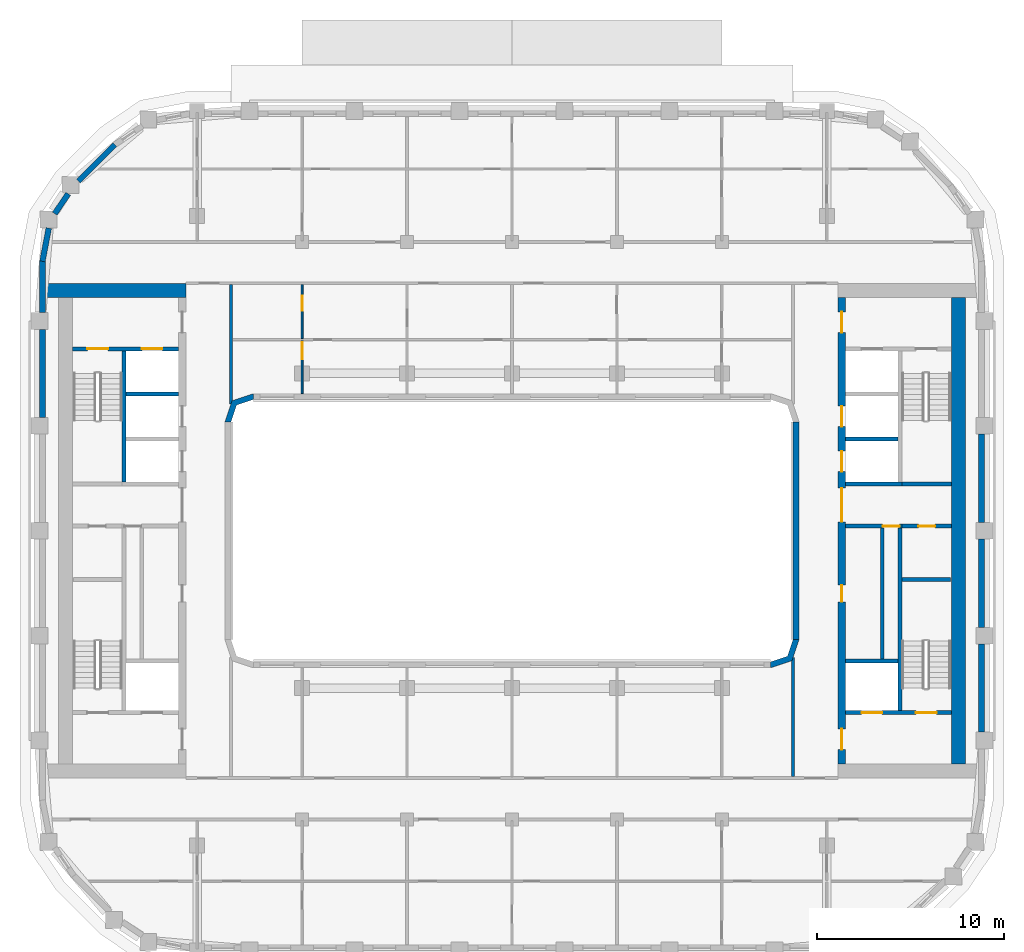
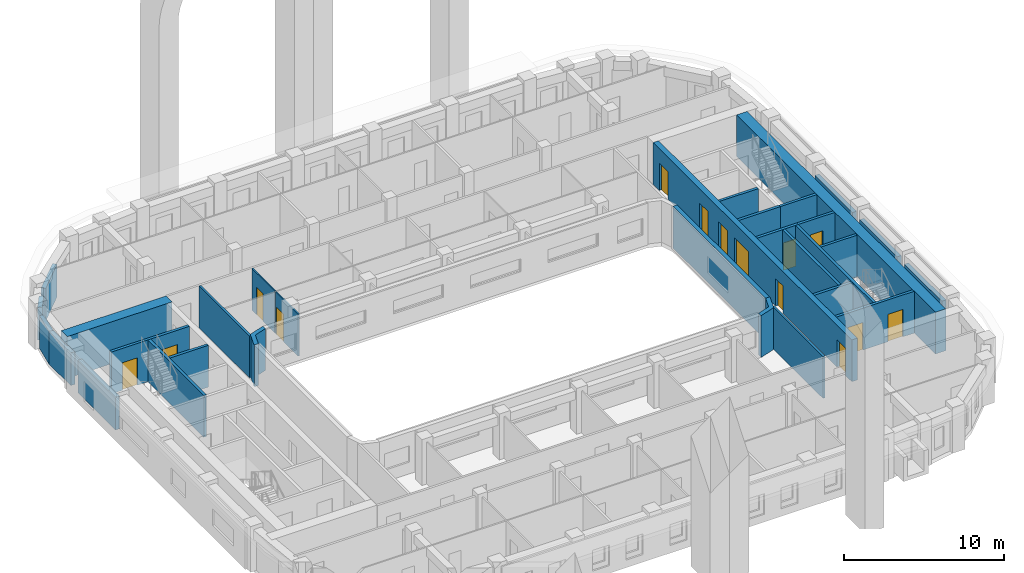
# One storey, part 5 of 18: 31 walls, 14 doors, 14 openings.
"""IFC4 building model written with IfcOpenShell, lengths in metres."""

from ifc_helpers import new_model, si_unit, direction, frame, frame_2d, origin, place, context, subcontext, project, spatial, polyline, rectangle, outline, extrude, material, layer, layer_set, type_object, element, fill, save


model = new_model("IFC4")

# Units and contexts
model_context = context("Model", 3, precision=1e-05, world=origin(), true_north=direction((0.0, 1.0)))
body_context = subcontext(model_context, "Body", "Model", "MODEL_VIEW")
ifc_project = project(units=[si_unit("LENGTHUNIT", "METRE"), si_unit("AREAUNIT", "SQUARE_METRE"), si_unit("VOLUMEUNIT", "CUBIC_METRE"), si_unit("PLANEANGLEUNIT", "RADIAN"), si_unit("MASSUNIT", "GRAM", prefix="KILO")], contexts=[model_context])

# Site, building, storey
site_placement = place(None, origin())
site = spatial("IfcSite", under=ifc_project, at=site_placement, CompositionType="ELEMENT")
building_placement = place(site_placement, origin())
building = spatial("IfcBuilding", under=site, at=building_placement, Name="Kiln Ring Residences", CompositionType="ELEMENT")
storey_placement = place(building_placement, frame((0.0, 0.0, 209.89990234375)))
storey = spatial("IfcBuildingStorey", under=building, at=storey_placement, Name="L54", CompositionType="ELEMENT", Elevation=209.89990234375)

# Wall, opening, door
ifc_material_1 = material(Name="Gypsum board on steel studs", Category="steel")
ifc_layer_1 = layer(ifc_material_1, 0.199951171875)
ifc_layer_set_1 = layer_set([ifc_layer_1], Name="CORE-PARTITION-200")
wall_type_1 = type_object("IfcWallType", Name="CORE-PARTITION-200", PredefinedType="PARTITIONING", material=ifc_layer_set_1)
wall_1_placement = place(storey_placement, frame((20.800048828125, 0.25, 0.0), z_axis=(0.0, 0.0, 1.0), x_axis=(1.0, 0.0, 0.0)))
wall_1 = element("IfcWall", 1, at=wall_1_placement, inside=storey, type_object=wall_type_1, Name="Core partition east L54 1", PredefinedType="PARTITIONING", context=body_context, shape_type="SweptSolid", body=[
    extrude(rectangle(XDim=2.64990234375, YDim=0.199951171875, at=frame_2d((1.324951171875, 0.0))), origin(), (0.0, 0.0, 1.0), 3.2001953125),
])
opening_1_placement = place(wall_1_placement, frame((0.875, 0.0, 0.0)))
opening_1 = element("IfcOpeningElement", 2, at=opening_1_placement, cuts=wall_1, Name="Opening L54-CE12", PredefinedType="OPENING", context=body_context, shape_type="SweptSolid", body=[
    extrude(rectangle(XDim=0.89990234375, YDim=2.10009765625, at=frame_2d((0.449951171875, 1.050048828125))), frame((0.0, 0.10986328125, 0.0), z_axis=(0.0, -1.0, 0.0), x_axis=(1.0, 0.0, 0.0)), (0.0, 0.0, 1.0), 0.219970703125),
])
ifc_material_2 = material(Name="Steel door leaf", Category="steel")
door_type_1 = type_object("IfcDoorType", Name="CORE-DOOR-ROOM", OperationType="SINGLE_SWING_LEFT", PredefinedType="DOOR", material=ifc_material_2)
door_1_placement = place(opening_1_placement, origin())
door_1 = element("IfcDoor", 3, at=door_1_placement, inside=storey, type_object=door_type_1, Name="Linen store L54-CE12", OperationType="SINGLE_SWING_LEFT", OverallHeight=2.10009765625, OverallWidth=0.89990234375, PredefinedType="DOOR", context=body_context, shape_type="SweptSolid", body=[
    extrude(rectangle(XDim=0.89990234375, YDim=2.10009765625, at=frame_2d((0.449951171875, 1.050048828125))), frame((0.0, 0.02490234375, 0.0), z_axis=(0.0, -1.0, 0.0), x_axis=(1.0, 0.0, 0.0)), (0.0, 0.0, 1.0), 0.050048828125),
])
fill(opening_1, door_1)

# Walls
wall_2_placement = place(storey_placement, frame((19.760009765625, -6.85009765625, 0.0), z_axis=(0.0, 0.0, 1.0), x_axis=(0.0, 1.0, 0.0)))
element("IfcWall", 4, at=wall_2_placement, inside=storey, type_object=wall_type_1, Name="Core partition east L54 2", PredefinedType="PARTITIONING", context=body_context, shape_type="SweptSolid", body=[
    extrude(rectangle(XDim=7.0, YDim=0.199951171875, at=frame_2d((3.5, 0.0))), origin(), (0.0, 0.0, 1.0), 3.2001953125),
])
ifc_material_3 = material(Name="Gypsum shaft wall system")
ifc_layer_2 = layer(ifc_material_3, 0.199951171875)
ifc_layer_set_2 = layer_set([ifc_layer_2], Name="CORE-SHAFT-WALL-200")
wall_type_2 = type_object("IfcWallType", Name="CORE-SHAFT-WALL-200", PredefinedType="PARTITIONING", material=ifc_layer_set_2)
for number, where, z_axis, x_axis, name in (
    (5, (-17.800048828125, 7.300048828125, 0.0), (0.0, 0.0, 1.0), (-1.0, 0.0, 0.0), "Core partition west L54 7"),
    (6, (17.800048828125, -6.949951171875, 0.0), (0.0, 0.0, 1.0), (1.0, 0.0, 0.0), "Core partition east L54 3"),
):
    element("IfcWall", number, at=place(storey_placement, frame(where, z_axis=z_axis, x_axis=x_axis)), inside=storey, type_object=wall_type_2, Name=name, PredefinedType="PARTITIONING", context=body_context, shape_type="SweptSolid", body=[
        extrude(rectangle(XDim=2.800048828125, YDim=0.199951171875, at=frame_2d((1.39990234375, 0.0))), origin(), (0.0, 0.0, 1.0), 3.2001953125),
    ])

# Wall, opening, door
wall_3_placement = place(storey_placement, frame((17.800048828125, 0.25, 0.0), z_axis=(0.0, 0.0, 1.0), x_axis=(1.0, 0.0, 0.0)))
wall_3 = element("IfcWall", 7, at=wall_3_placement, inside=storey, type_object=wall_type_2, Name="Core partition east L54 4", PredefinedType="PARTITIONING", context=body_context, shape_type="SweptSolid", body=[
    extrude(rectangle(XDim=3.0, YDim=0.199951171875, at=frame_2d((1.5, 0.0))), origin(), (0.0, 0.0, 1.0), 3.2001953125),
])
opening_2_placement = place(wall_3_placement, frame((1.97998046875, 0.0, 0.0)))
opening_2 = element("IfcOpeningElement", 8, at=opening_2_placement, cuts=wall_3, Name="Opening L54-CE03", PredefinedType="OPENING", context=body_context, shape_type="SweptSolid", body=[
    extrude(rectangle(XDim=0.89990234375, YDim=2.10009765625, at=frame_2d((0.449951171875, 1.050048828125))), frame((0.0, 0.10986328125, 0.0), z_axis=(0.0, -1.0, 0.0), x_axis=(1.0, 0.0, 0.0)), (0.0, 0.0, 1.0), 0.219970703125),
])
door_2_placement = place(opening_2_placement, origin())
door_2 = element("IfcDoor", 9, at=door_2_placement, inside=storey, type_object=door_type_1, Name="Waste room L54-CE03", OperationType="SINGLE_SWING_RIGHT", OverallHeight=2.10009765625, OverallWidth=0.89990234375, PredefinedType="DOOR", context=body_context, shape_type="SweptSolid", body=[
    extrude(rectangle(XDim=0.89990234375, YDim=2.10009765625, at=frame_2d((0.449951171875, 1.050048828125))), frame((0.0, 0.02490234375, 0.0), z_axis=(0.0, -1.0, 0.0), x_axis=(1.0, 0.0, 0.0)), (0.0, 0.0, 1.0), 0.050048828125),
])
fill(opening_2, door_2)

# Walls
wall_4_placement = place(storey_placement, frame((17.800048828125, 2.5, 0.0), z_axis=(0.0, 0.0, 1.0), x_axis=(1.0, 0.0, 0.0)))
element("IfcWall", 10, at=wall_4_placement, inside=storey, type_object=wall_type_2, Name="Core partition east L54 5", PredefinedType="PARTITIONING", context=body_context, shape_type="SweptSolid", body=[
    extrude(rectangle(XDim=3.0, YDim=0.199951171875, at=frame_2d((1.5, 0.0))), origin(), (0.0, 0.0, 1.0), 3.2001953125),
])
wall_5_placement = place(storey_placement, frame((17.800048828125, 4.89990234375, 0.0), z_axis=(0.0, 0.0, 1.0), x_axis=(1.0, 0.0, 0.0)))
element("IfcWall", 11, at=wall_5_placement, inside=storey, type_object=wall_type_2, Name="Core partition east L54 6", PredefinedType="PARTITIONING", context=body_context, shape_type="SweptSolid", body=[
    extrude(rectangle(XDim=2.800048828125, YDim=0.199951171875, at=frame_2d((1.39990234375, 0.0))), origin(), (0.0, 0.0, 1.0), 3.2001953125),
])
ifc_material_4 = material(Name="Concrete C40/50", Category="concrete")
ifc_layer_3 = layer(ifc_material_4, 0.199951171875)
ifc_layer_set_3 = layer_set([ifc_layer_3], Name="CORE-WALL-RC200")
wall_type_3 = type_object("IfcWallType", Name="CORE-WALL-RC200", PredefinedType="SHEAR", material=ifc_layer_set_3)
wall_6_placement = place(storey_placement, frame((-20.699951171875, 2.60009765625, 0.0), z_axis=(0.0, 0.0, 1.0), x_axis=(0.0, 1.0, 0.0)))
element("IfcWall", 12, at=wall_6_placement, inside=storey, type_object=wall_type_3, Name="Core wall west L54 1", PredefinedType="SHEAR", context=body_context, shape_type="SweptSolid", body=[
    extrude(rectangle(XDim=7.0, YDim=0.199951171875, at=frame_2d((3.5, 0.0))), origin(), (0.0, 0.0, 1.0), 3.2001953125),
])

# Wall, openings, doors
wall_7_placement = place(storey_placement, frame((-17.800048828125, 9.699951171875, 0.0), z_axis=(0.0, 0.0, 1.0), x_axis=(-1.0, 0.0, 0.0)))
wall_7 = element("IfcWall", 13, at=wall_7_placement, inside=storey, type_object=wall_type_3, Name="Core wall west L54 9", PredefinedType="SHEAR", context=body_context, shape_type="SweptSolid", body=[
    extrude(rectangle(XDim=5.64990234375, YDim=0.199951171875, at=frame_2d((2.824951171875, 0.0))), origin(), (0.0, 0.0, 1.0), 3.2001953125),
])
opening_3_placement = place(wall_7_placement, frame((0.85009765625, 0.0, 0.0)))
opening_3 = element("IfcOpeningElement", 14, at=opening_3_placement, cuts=wall_7, Name="Opening L54-CW06", PredefinedType="OPENING", context=body_context, shape_type="SweptSolid", body=[
    extrude(rectangle(XDim=1.10009765625, YDim=2.10009765625, at=frame_2d((0.550048828125, 1.050048828125))), frame((0.0, 0.10986328125, 0.0), z_axis=(0.0, -1.0, 0.0), x_axis=(1.0, 0.0, 0.0)), (0.0, 0.0, 1.0), 0.219970703125),
])
opening_4_placement = place(wall_7_placement, frame((3.75, 0.0, 0.0)))
opening_4 = element("IfcOpeningElement", 15, at=opening_4_placement, cuts=wall_7, Name="Opening L54-CW09", PredefinedType="OPENING", context=body_context, shape_type="SweptSolid", body=[
    extrude(rectangle(XDim=1.10009765625, YDim=2.10009765625, at=frame_2d((0.550048828125, 1.050048828125))), frame((0.0, 0.10986328125, 0.0), z_axis=(0.0, -1.0, 0.0), x_axis=(1.0, 0.0, 0.0)), (0.0, 0.0, 1.0), 0.219970703125),
])
ifc_material_5 = material(Name="Steel door leaf", Category="steel")
door_type_2 = type_object("IfcDoorType", Name="CORE-DOOR-LD", OperationType="DOUBLE_DOOR_SLIDING", PredefinedType="DOOR", material=ifc_material_5)
door_3_placement = place(opening_3_placement, origin())
door_3 = element("IfcDoor", 16, at=door_3_placement, inside=storey, type_object=door_type_2, Name="LD W-FF L54-CW06", OperationType="DOUBLE_DOOR_SLIDING", OverallHeight=2.10009765625, OverallWidth=1.10009765625, PredefinedType="DOOR", context=body_context, shape_type="SweptSolid", body=[
    extrude(rectangle(XDim=1.10009765625, YDim=2.10009765625, at=frame_2d((0.550048828125, 1.050048828125))), frame((0.0, 0.02490234375, 0.0), z_axis=(0.0, -1.0, 0.0), x_axis=(1.0, 0.0, 0.0)), (0.0, 0.0, 1.0), 0.050048828125),
])
fill(opening_3, door_3)
ifc_material_6 = material(Name="Steel door leaf", Category="steel")
door_type_3 = type_object("IfcDoorType", Name="CORE-DOOR-STAIR", OperationType="SINGLE_SWING_LEFT", PredefinedType="DOOR", material=ifc_material_6)
door_4_placement = place(opening_4_placement, origin())
door_4 = element("IfcDoor", 17, at=door_4_placement, inside=storey, type_object=door_type_3, Name="Stair W-STN L54-CW09", OperationType="SINGLE_SWING_LEFT", OverallHeight=2.10009765625, OverallWidth=1.10009765625, PredefinedType="DOOR", context=body_context, shape_type="SweptSolid", body=[
    extrude(rectangle(XDim=1.10009765625, YDim=2.10009765625, at=frame_2d((0.550048828125, 1.050048828125))), frame((0.0, 0.02490234375, 0.0), z_axis=(0.0, -1.0, 0.0), x_axis=(1.0, 0.0, 0.0)), (0.0, 0.0, 1.0), 0.050048828125),
])
fill(opening_4, door_4)

# Walls
wall_8_placement = place(storey_placement, frame((20.699951171875, -9.60009765625, 0.0), z_axis=(0.0, 0.0, 1.0), x_axis=(0.0, 1.0, 0.0)))
element("IfcWall", 18, at=wall_8_placement, inside=storey, type_object=wall_type_3, Name="Core wall east L54 2", PredefinedType="SHEAR", context=body_context, shape_type="SweptSolid", body=[
    extrude(rectangle(XDim=9.75, YDim=0.199951171875, at=frame_2d((4.875, 0.0))), origin(), (0.0, 0.0, 1.0), 3.2001953125),
])
wall_9_placement = place(storey_placement, frame((20.800048828125, 2.5, 0.0), z_axis=(0.0, 0.0, 1.0), x_axis=(1.0, 0.0, 0.0)))
element("IfcWall", 19, at=wall_9_placement, inside=storey, type_object=wall_type_3, Name="Core wall east L54 3", PredefinedType="SHEAR", context=body_context, shape_type="SweptSolid", body=[
    extrude(rectangle(XDim=2.64990234375, YDim=0.199951171875, at=frame_2d((1.324951171875, 0.0))), origin(), (0.0, 0.0, 1.0), 3.2001953125),
])

# Wall, openings, doors
wall_10_placement = place(storey_placement, frame((17.800048828125, -9.699951171875, 0.0), z_axis=(0.0, 0.0, 1.0), x_axis=(1.0, 0.0, 0.0)))
wall_10 = element("IfcWall", 20, at=wall_10_placement, inside=storey, type_object=wall_type_3, Name="Core wall east L54 8", PredefinedType="SHEAR", context=body_context, shape_type="SweptSolid", body=[
    extrude(rectangle(XDim=5.64990234375, YDim=0.199951171875, at=frame_2d((2.824951171875, 0.0))), origin(), (0.0, 0.0, 1.0), 3.2001953125),
])
opening_5_placement = place(wall_10_placement, frame((0.85009765625, 0.0, 0.0)))
opening_5 = element("IfcOpeningElement", 21, at=opening_5_placement, cuts=wall_10, Name="Opening L54-CE01", PredefinedType="OPENING", context=body_context, shape_type="SweptSolid", body=[
    extrude(rectangle(XDim=1.10009765625, YDim=2.10009765625, at=frame_2d((0.550048828125, 1.050048828125))), frame((0.0, 0.10986328125, 0.0), z_axis=(0.0, -1.0, 0.0), x_axis=(1.0, 0.0, 0.0)), (0.0, 0.0, 1.0), 0.219970703125),
])
opening_6_placement = place(wall_10_placement, frame((3.75, 0.0, 0.0)))
opening_6 = element("IfcOpeningElement", 22, at=opening_6_placement, cuts=wall_10, Name="Opening L54-CE10", PredefinedType="OPENING", context=body_context, shape_type="SweptSolid", body=[
    extrude(rectangle(XDim=1.10009765625, YDim=2.10009765625, at=frame_2d((0.550048828125, 1.050048828125))), frame((0.0, 0.10986328125, 0.0), z_axis=(0.0, -1.0, 0.0), x_axis=(1.0, 0.0, 0.0)), (0.0, 0.0, 1.0), 0.219970703125),
])
door_5_placement = place(opening_5_placement, origin())
door_5 = element("IfcDoor", 23, at=door_5_placement, inside=storey, type_object=door_type_2, Name="LD E-SV L54-CE01", OperationType="DOUBLE_DOOR_SLIDING", OverallHeight=2.10009765625, OverallWidth=1.10009765625, PredefinedType="DOOR", context=body_context, shape_type="SweptSolid", body=[
    extrude(rectangle(XDim=1.10009765625, YDim=2.10009765625, at=frame_2d((0.550048828125, 1.050048828125))), frame((0.0, 0.02490234375, 0.0), z_axis=(0.0, -1.0, 0.0), x_axis=(1.0, 0.0, 0.0)), (0.0, 0.0, 1.0), 0.050048828125),
])
fill(opening_5, door_5)
door_6_placement = place(opening_6_placement, origin())
door_6 = element("IfcDoor", 24, at=door_6_placement, inside=storey, type_object=door_type_3, Name="Stair E-STS L54-CE10", OperationType="SINGLE_SWING_RIGHT", OverallHeight=2.10009765625, OverallWidth=1.10009765625, PredefinedType="DOOR", context=body_context, shape_type="SweptSolid", body=[
    extrude(rectangle(XDim=1.10009765625, YDim=2.10009765625, at=frame_2d((0.550048828125, 1.050048828125))), frame((0.0, 0.02490234375, 0.0), z_axis=(0.0, -1.0, 0.0), x_axis=(1.0, 0.0, 0.0)), (0.0, 0.0, 1.0), 0.050048828125),
])
fill(opening_6, door_6)

# Wall
wall_11_placement = place(storey_placement, frame((20.800048828125, -2.60009765625, 0.0), z_axis=(0.0, 0.0, 1.0), x_axis=(1.0, 0.0, 0.0)))
element("IfcWall", 25, at=wall_11_placement, inside=storey, type_object=wall_type_3, Name="Core wall east L54 10", PredefinedType="SHEAR", context=body_context, shape_type="SweptSolid", body=[
    extrude(rectangle(XDim=2.599853515625, YDim=0.199951171875, at=frame_2d((1.2998046875, 0.0))), origin(), (0.0, 0.0, 1.0), 3.2001953125),
])

# Wall, openings, doors
ifc_material_7 = material(Name="Concrete C60/75", Category="concrete")
ifc_layer_4 = layer(ifc_material_7, 0.39990234375)
ifc_layer_set_4 = layer_set([ifc_layer_4], Name="CORE-WALL-RC400")
wall_type_4 = type_object("IfcWallType", Name="CORE-WALL-RC400", PredefinedType="SHEAR", material=ifc_layer_set_4)
wall_12_placement = place(storey_placement, frame((17.60009765625, -12.449951171875, 0.0), z_axis=(0.0, 0.0, 1.0), x_axis=(0.0, 1.0, 0.0)))
wall_12 = element("IfcWall", 26, at=wall_12_placement, inside=storey, type_object=wall_type_4, Name="Core wall east L54 6", PredefinedType="SHEAR", context=body_context, shape_type="SweptSolid", body=[
    extrude(rectangle(XDim=24.89990234375, YDim=0.39990234375, at=frame_2d((12.449951171875, 0.0))), origin(), (0.0, 0.0, 1.0), 3.2001953125),
])
opening_7_placement = place(wall_12_placement, frame((8.64990234375, 0.0, 0.0)))
opening_7 = element("IfcOpeningElement", 27, at=opening_7_placement, cuts=wall_12, Name="Opening L54-CE02", PredefinedType="OPENING", context=body_context, shape_type="SweptSolid", body=[
    extrude(rectangle(XDim=0.89990234375, YDim=2.10009765625, at=frame_2d((0.449951171875, 1.050048828125))), frame((0.0, 0.2099609375, 0.0), z_axis=(0.0, -1.0, 0.0), x_axis=(1.0, 0.0, 0.0)), (0.0, 0.0, 1.0), 0.419921875),
])
opening_8_placement = place(wall_12_placement, frame((15.60009765625, 0.0, 0.0)))
opening_8 = element("IfcOpeningElement", 28, at=opening_8_placement, cuts=wall_12, Name="Opening L54-CE04", PredefinedType="OPENING", context=body_context, shape_type="SweptSolid", body=[
    extrude(rectangle(XDim=1.10009765625, YDim=2.10009765625, at=frame_2d((0.550048828125, 1.050048828125))), frame((0.0, 0.2099609375, 0.0), z_axis=(0.0, -1.0, 0.0), x_axis=(1.0, 0.0, 0.0)), (0.0, 0.0, 1.0), 0.419921875),
])
opening_9_placement = place(wall_12_placement, frame((18.0, 0.0, 0.0)))
opening_9 = element("IfcOpeningElement", 29, at=opening_9_placement, cuts=wall_12, Name="Opening L54-CE05", PredefinedType="OPENING", context=body_context, shape_type="SweptSolid", body=[
    extrude(rectangle(XDim=1.10009765625, YDim=2.10009765625, at=frame_2d((0.550048828125, 1.050048828125))), frame((0.0, 0.2099609375, 0.0), z_axis=(0.0, -1.0, 0.0), x_axis=(1.0, 0.0, 0.0)), (0.0, 0.0, 1.0), 0.419921875),
])
opening_10_placement = place(wall_12_placement, frame((23.02490234375, 0.0, 0.0)))
opening_10 = element("IfcOpeningElement", 30, at=opening_10_placement, cuts=wall_12, Name="Opening L54-CE07", PredefinedType="OPENING", context=body_context, shape_type="SweptSolid", body=[
    extrude(rectangle(XDim=1.10009765625, YDim=2.10009765625, at=frame_2d((0.550048828125, 1.050048828125))), frame((0.0, 0.2099609375, 0.0), z_axis=(0.0, -1.0, 0.0), x_axis=(1.0, 0.0, 0.0)), (0.0, 0.0, 1.0), 0.419921875),
])
opening_11_placement = place(wall_12_placement, frame((0.77490234375, 0.0, 0.0)))
opening_11 = element("IfcOpeningElement", 31, at=opening_11_placement, cuts=wall_12, Name="Opening L54-CE08", PredefinedType="OPENING", context=body_context, shape_type="SweptSolid", body=[
    extrude(rectangle(XDim=1.10009765625, YDim=2.10009765625, at=frame_2d((0.550048828125, 1.050048828125))), frame((0.0, 0.2099609375, 0.0), z_axis=(0.0, -1.0, 0.0), x_axis=(1.0, 0.0, 0.0)), (0.0, 0.0, 1.0), 0.419921875),
])
opening_12_placement = place(wall_12_placement, frame((12.925048828125, 0.0, 0.0)))
opening_12 = element("IfcOpeningElement", 32, at=opening_12_placement, cuts=wall_12, Name="Opening L54-CE11", PredefinedType="OPENING", context=body_context, shape_type="SweptSolid", body=[
    extrude(rectangle(XDim=1.800048828125, YDim=2.10009765625, at=frame_2d((0.89990234375, 1.050048828125))), frame((0.0, 0.2099609375, 0.0), z_axis=(0.0, -1.0, 0.0), x_axis=(1.0, 0.0, 0.0)), (0.0, 0.0, 1.0), 0.419921875),
])
door_7_placement = place(opening_8_placement, origin())
door_7 = element("IfcDoor", 33, at=door_7_placement, inside=storey, type_object=door_type_2, Name="LD E-M1 L54-CE04", OperationType="DOUBLE_DOOR_SLIDING", OverallHeight=2.10009765625, OverallWidth=1.10009765625, PredefinedType="DOOR", context=body_context, shape_type="SweptSolid", body=[
    extrude(rectangle(XDim=1.10009765625, YDim=2.10009765625, at=frame_2d((0.550048828125, 1.050048828125))), frame((0.0, 0.02490234375, 0.0), z_axis=(0.0, -1.0, 0.0), x_axis=(1.0, 0.0, 0.0)), (0.0, 0.0, 1.0), 0.050048828125),
])
fill(opening_8, door_7)
door_8_placement = place(opening_9_placement, origin())
door_8 = element("IfcDoor", 34, at=door_8_placement, inside=storey, type_object=door_type_2, Name="LD E-M2 L54-CE05", OperationType="DOUBLE_DOOR_SLIDING", OverallHeight=2.10009765625, OverallWidth=1.10009765625, PredefinedType="DOOR", context=body_context, shape_type="SweptSolid", body=[
    extrude(rectangle(XDim=1.10009765625, YDim=2.10009765625, at=frame_2d((0.550048828125, 1.050048828125))), frame((0.0, 0.02490234375, 0.0), z_axis=(0.0, -1.0, 0.0), x_axis=(1.0, 0.0, 0.0)), (0.0, 0.0, 1.0), 0.050048828125),
])
fill(opening_9, door_8)
ifc_material_8 = material(Name="Steel door leaf", Category="steel")
door_type_4 = type_object("IfcDoorType", Name="CORE-DOOR-LOBBY", OperationType="SINGLE_SWING_LEFT", PredefinedType="DOOR", material=ifc_material_8)
door_9_placement = place(opening_10_placement, origin())
door_9 = element("IfcDoor", 35, at=door_9_placement, inside=storey, type_object=door_type_4, Name="FFL L54-CE07", OperationType="SINGLE_SWING_LEFT", OverallHeight=2.10009765625, OverallWidth=1.10009765625, PredefinedType="DOOR", context=body_context, shape_type="SweptSolid", body=[
    extrude(rectangle(XDim=1.10009765625, YDim=2.10009765625, at=frame_2d((0.550048828125, 1.050048828125))), frame((0.0, 0.02490234375, 0.0), z_axis=(0.0, -1.0, 0.0), x_axis=(1.0, 0.0, 0.0)), (0.0, 0.0, 1.0), 0.050048828125),
])
fill(opening_10, door_9)
door_10_placement = place(opening_11_placement, origin())
door_10 = element("IfcDoor", 36, at=door_10_placement, inside=storey, type_object=door_type_4, Name="SVL L54-CE08", OperationType="SINGLE_SWING_RIGHT", OverallHeight=2.10009765625, OverallWidth=1.10009765625, PredefinedType="DOOR", context=body_context, shape_type="SweptSolid", body=[
    extrude(rectangle(XDim=1.10009765625, YDim=2.10009765625, at=frame_2d((0.550048828125, 1.050048828125))), frame((0.0, 0.02490234375, 0.0), z_axis=(0.0, -1.0, 0.0), x_axis=(1.0, 0.0, 0.0)), (0.0, 0.0, 1.0), 0.050048828125),
])
fill(opening_11, door_10)
ifc_material_9 = material(Name="Steel door leaf", Category="steel")
door_type_5 = type_object("IfcDoorType", Name="CORE-DOOR-PASS", OperationType="DOUBLE_DOOR_SINGLE_SWING", PredefinedType="DOOR", material=ifc_material_9)
door_11_placement = place(opening_12_placement, origin())
door_11 = element("IfcDoor", 37, at=door_11_placement, inside=storey, type_object=door_type_5, Name="Core passage L54-CE11", OperationType="DOUBLE_DOOR_SINGLE_SWING", OverallHeight=2.10009765625, OverallWidth=1.800048828125, PredefinedType="DOOR", context=body_context, shape_type="SweptSolid", body=[
    extrude(rectangle(XDim=1.800048828125, YDim=2.10009765625, at=frame_2d((0.89990234375, 1.050048828125))), frame((0.0, 0.02490234375, 0.0), z_axis=(0.0, -1.0, 0.0), x_axis=(1.0, 0.0, 0.0)), (0.0, 0.0, 1.0), 0.050048828125),
])
fill(opening_12, door_11)
door_12_placement = place(opening_7_placement, origin())
door_12 = element("IfcDoor", 38, at=door_12_placement, inside=storey, type_object=door_type_1, Name="Janitor's store L54-CE02", OperationType="SINGLE_SWING_LEFT", OverallHeight=2.10009765625, OverallWidth=0.89990234375, PredefinedType="DOOR", context=body_context, shape_type="SweptSolid", body=[
    extrude(rectangle(XDim=0.89990234375, YDim=2.10009765625, at=frame_2d((0.449951171875, 1.050048828125))), frame((0.0, 0.02490234375, 0.0), z_axis=(0.0, -1.0, 0.0), x_axis=(1.0, 0.0, 0.0)), (0.0, 0.0, 1.0), 0.050048828125),
])
fill(opening_7, door_12)

# Walls
ifc_material_10 = material(Name="Concrete C60/75", Category="concrete")
ifc_layer_5 = layer(ifc_material_10, 0.75)
ifc_layer_set_5 = layer_set([ifc_layer_5], Name="CORE-WALL-RC750")
wall_type_5 = type_object("IfcWallType", Name="CORE-WALL-RC750", PredefinedType="SHEAR", material=ifc_layer_set_5)
wall_13_placement = place(storey_placement, frame((-17.39990234375, 12.824951171875, 0.0), z_axis=(0.0, 0.0, 1.0), x_axis=(-1.0, 0.0, 0.0)))
element("IfcWall", 39, at=wall_13_placement, inside=storey, type_object=wall_type_5, Name="Core wall west L54 4", PredefinedType="SHEAR", context=body_context, shape_type="SweptSolid", body=[
    extrude(rectangle(XDim=7.60009765625, YDim=0.75, at=frame_2d((3.800048828125, 0.0))), origin(), (0.0, 0.0, 1.0), 3.2001953125),
])
wall_14_placement = place(storey_placement, frame((23.824951171875, -12.449951171875, 0.0), z_axis=(0.0, 0.0, 1.0), x_axis=(0.0, 1.0, 0.0)))
element("IfcWall", 40, at=wall_14_placement, inside=storey, type_object=wall_type_5, Name="Core wall east L54 7", PredefinedType="SHEAR", context=body_context, shape_type="SweptSolid", body=[
    extrude(rectangle(XDim=24.89990234375, YDim=0.75, at=frame_2d((12.449951171875, 0.0))), origin(), (0.0, 0.0, 1.0), 3.2001953125),
])
ifc_material_11 = material(Name="Brick masonry, dark clay brick", Category="masonry")
ifc_layer_6 = layer(ifc_material_11, 0.300048828125)
ifc_layer_set_6 = layer_set([ifc_layer_6], Name="EW-300 BRICK WALL")
wall_type_6 = type_object("IfcWallType", Name="EW-300 BRICK WALL", PredefinedType="SOLIDWALL", material=ifc_layer_set_6)
for number, where, z_axis, x_axis, name in (
    (41, (25.050048828125, -10.75, 0.0), (0.0, 0.0, 1.0), (0.0, 1.0, 0.0), "Facade wall L54 17"),
    (42, (25.050048828125, -5.14990234375, 0.0), (0.0, 0.0, 1.0), (0.0, 1.0, 0.0), "Facade wall L54 18"),
    (43, (25.050048828125, 0.449951171875, 0.0), (0.0, 0.0, 1.0), (0.0, 1.0, 0.0), "Facade wall L54 19"),
):
    element("IfcWall", number, at=place(storey_placement, frame(where, z_axis=z_axis, x_axis=x_axis)), inside=storey, type_object=wall_type_6, Name=name, PredefinedType="SOLIDWALL", context=body_context, shape_type="SweptSolid", body=[
        extrude(rectangle(XDim=4.699951171875, YDim=0.300048828125, at=frame_2d((2.35009765625, 0.0))), origin(), (0.0, 0.0, 1.0), 2.5),
    ])
wall_15_placement = place(storey_placement, frame((-21.19091796875, 20.596923828125, 0.0), z_axis=(0.0, 0.0, 1.0), x_axis=(-0.707106781187, -0.707106781187, 0.0)))
element("IfcWall", 44, at=wall_15_placement, inside=storey, type_object=wall_type_6, Name="Facade wall L54 36", PredefinedType="SOLIDWALL", context=body_context, shape_type="SweptSolid", body=[
    extrude(rectangle(XDim=2.75, YDim=0.300048828125, at=frame_2d((1.375, 0.0))), origin(), (0.0, 0.0, 1.0), 2.5),
])
wall_16_placement = place(storey_placement, frame((-23.67626953125, 17.975341796875, 0.0), z_axis=(0.0, 0.0, 1.0), x_axis=(-0.56200149592, -0.827136215253, 0.0)))
element("IfcWall", 45, at=wall_16_placement, inside=storey, type_object=wall_type_6, Name="Facade wall L54 37", PredefinedType="SOLIDWALL", context=body_context, shape_type="SweptSolid", body=[
    extrude(rectangle(XDim=1.277099609375, YDim=0.300048828125, at=frame_2d((0.638671875, 0.0))), origin(), (0.0, 0.0, 1.0), 2.5),
])
wall_17_placement = place(storey_placement, frame((-24.71435546875, 16.14599609375, 0.0), z_axis=(0.0, 0.0, 1.0), x_axis=(-0.187348135549, -0.982293579388, 0.0)))
element("IfcWall", 46, at=wall_17_placement, inside=storey, type_object=wall_type_6, Name="Facade wall L54 38", PredefinedType="SOLIDWALL", context=body_context, shape_type="SweptSolid", body=[
    extrude(rectangle(XDim=1.80615234375, YDim=0.300048828125, at=frame_2d((0.903076171875, 0.0))), origin(), (0.0, 0.0, 1.0), 2.5),
])
wall_18_placement = place(storey_placement, frame((-25.050048828125, 14.39990234375, 0.0), z_axis=(0.0, 0.0, 1.0), x_axis=(0.0, -1.0, 0.0)))
element("IfcWall", 47, at=wall_18_placement, inside=storey, type_object=wall_type_6, Name="Facade wall L54 39", PredefinedType="SOLIDWALL", context=body_context, shape_type="SweptSolid", body=[
    extrude(rectangle(XDim=2.75, YDim=0.300048828125, at=frame_2d((1.375, 0.0))), origin(), (0.0, 0.0, 1.0), 2.5),
])
wall_19_placement = place(storey_placement, frame((-25.050048828125, 10.75, 0.0), z_axis=(0.0, 0.0, 1.0), x_axis=(0.0, -1.0, 0.0)))
element("IfcWall", 48, at=wall_19_placement, inside=storey, type_object=wall_type_6, Name="Facade wall L54 40", PredefinedType="SOLIDWALL", context=body_context, shape_type="SweptSolid", body=[
    extrude(rectangle(XDim=4.699951171875, YDim=0.300048828125, at=frame_2d((2.35009765625, 0.0))), origin(), (0.0, 0.0, 1.0), 2.5),
])
wall_20_placement = place(storey_placement, frame((15.14990234375, 5.800048828125, 0.0), z_axis=(0.0, 0.0, 1.0), x_axis=(0.0, -1.0, 0.0)))
element("IfcWall", 49, at=wall_20_placement, inside=storey, type_object=wall_type_6, Name="Facade wall L54 49", PredefinedType="SOLIDWALL", context=body_context, shape_type="SweptSolid", body=[
    extrude(rectangle(XDim=11.60009765625, YDim=0.300048828125, at=frame_2d((5.800048828125, 0.0))), origin(), (0.0, 0.0, 1.0), 3.2001953125),
])
placement = place(storey_placement, origin())
element("IfcWall", 50, at=placement, inside=storey, type_object=wall_type_6, Name="Corner wall L54 1", PredefinedType="SOLIDWALL", context=body_context, shape_type="SweptSolid", body=[
    extrude(outline(polyline([(-13.8486328125, 7.300048828125), (-14.937255859375, 6.937255859375), (-15.300048828125, 5.8486328125), (-15.300048828125, 5.800048828125), (-15.0, 5.800048828125), (-14.699951171875, 6.699951171875), (-13.800048828125, 7.0), (-13.800048828125, 7.300048828125), (-13.8486328125, 7.300048828125)])), origin(), (0.0, 0.0, 1.0), 3.2001953125),
])
element("IfcWall", 51, at=placement, inside=storey, type_object=wall_type_6, Name="Corner wall L54 3", PredefinedType="SOLIDWALL", context=body_context, shape_type="SweptSolid", body=[
    extrude(outline(polyline([(14.937255859375, -6.937255859375), (15.300048828125, -5.8486328125), (15.300048828125, -5.800048828125), (15.0, -5.800048828125), (14.699951171875, -6.699951171875), (13.800048828125, -7.0), (13.800048828125, -7.300048828125), (13.8486328125, -7.300048828125), (14.937255859375, -6.937255859375)])), origin(), (0.0, 0.0, 1.0), 3.2001953125),
])

# Wall, opening, door
ifc_material_12 = material(Name="Gypsum board on steel studs", Category="steel")
ifc_layer_7 = layer(ifc_material_12, 0.10009765625)
ifc_layer_set_7 = layer_set([ifc_layer_7], Name="PARTITION-100")
wall_type_7 = type_object("IfcWallType", Name="PARTITION-100", PredefinedType="PARTITIONING", material=ifc_layer_set_7)
wall_23_placement = place(storey_placement, frame((-11.199951171875, 7.320068359375, 0.0), z_axis=(0.0, 0.0, 1.0), x_axis=(0.0, 1.0, 0.0)))
wall_23 = element("IfcWall", 52, at=wall_23_placement, inside=storey, type_object=wall_type_7, Name="Partition 016", PredefinedType="PARTITIONING", context=body_context, shape_type="SweptSolid", body=[
    extrude(rectangle(XDim=2.829833984375, YDim=0.10009765625, at=frame_2d((1.4150390625, 0.0))), origin(), (0.0, 0.0, 1.0), 3.2001953125),
])
opening_13_placement = place(wall_23_placement, frame((1.830078125, 0.0, 0.0)))
opening_13 = element("IfcOpeningElement", 53, at=opening_13_placement, cuts=wall_23, Name="Opening L54-D010", PredefinedType="OPENING", context=body_context, shape_type="SweptSolid", body=[
    extrude(rectangle(XDim=0.89990234375, YDim=2.10009765625, at=frame_2d((0.449951171875, 1.050048828125))), frame((0.0, 0.06005859375, 0.0), z_axis=(0.0, -1.0, 0.0), x_axis=(1.0, 0.0, 0.0)), (0.0, 0.0, 1.0), 0.1201171875),
])
ifc_material_13 = material(Name="Timber door leaf", Category="wood")
door_type_6 = type_object("IfcDoorType", Name="FLAT-DOOR-900-PL", OperationType="SINGLE_SWING_LEFT", PredefinedType="DOOR", material=ifc_material_13)
door_13_placement = place(opening_13_placement, origin())
door_13 = element("IfcDoor", 54, at=door_13_placement, inside=storey, type_object=door_type_6, Name="Door L54-D010", OperationType="SINGLE_SWING_LEFT", OverallHeight=2.10009765625, OverallWidth=0.89990234375, PredefinedType="DOOR", context=body_context, shape_type="SweptSolid", body=[
    extrude(rectangle(XDim=0.89990234375, YDim=2.10009765625, at=frame_2d((0.449951171875, 1.050048828125))), frame((0.0, 0.02490234375, 0.0), z_axis=(0.0, -1.0, 0.0), x_axis=(1.0, 0.0, 0.0)), (0.0, 0.0, 1.0), 0.050048828125),
])
fill(opening_13, door_13)

wall_24_placement = place(storey_placement, frame((-11.199951171875, 10.25, 0.0), z_axis=(0.0, 0.0, 1.0), x_axis=(0.0, 1.0, 0.0)))
wall_24 = element("IfcWall", 55, at=wall_24_placement, inside=storey, type_object=wall_type_7, Name="Partition 017", PredefinedType="PARTITIONING", context=body_context, shape_type="SweptSolid", body=[
    extrude(rectangle(XDim=2.875, YDim=0.10009765625, at=frame_2d((1.4375, 0.0))), origin(), (0.0, 0.0, 1.0), 3.2001953125),
])
opening_14_placement = place(wall_24_placement, frame((1.4990234375, 0.0, 0.0)))
opening_14 = element("IfcOpeningElement", 56, at=opening_14_placement, cuts=wall_24, Name="Opening L54-D007", PredefinedType="OPENING", context=body_context, shape_type="SweptSolid", body=[
    extrude(rectangle(XDim=0.800048828125, YDim=2.10009765625, at=frame_2d((0.39990234375, 1.050048828125))), frame((0.0, 0.06005859375, 0.0), z_axis=(0.0, -1.0, 0.0), x_axis=(1.0, 0.0, 0.0)), (0.0, 0.0, 1.0), 0.1201171875),
])
ifc_material_14 = material(Name="Timber door leaf", Category="wood")
door_type_7 = type_object("IfcDoorType", Name="FLAT-DOOR-800-PL", OperationType="SINGLE_SWING_LEFT", PredefinedType="DOOR", material=ifc_material_14)
door_14_placement = place(opening_14_placement, origin())
door_14 = element("IfcDoor", 57, at=door_14_placement, inside=storey, type_object=door_type_7, Name="Door L54-D007", OperationType="SINGLE_SWING_LEFT", OverallHeight=2.10009765625, OverallWidth=0.800048828125, PredefinedType="DOOR", context=body_context, shape_type="SweptSolid", body=[
    extrude(rectangle(XDim=0.800048828125, YDim=2.10009765625, at=frame_2d((0.39990234375, 1.050048828125))), frame((0.0, 0.02490234375, 0.0), z_axis=(0.0, -1.0, 0.0), x_axis=(1.0, 0.0, 0.0)), (0.0, 0.0, 1.0), 0.050048828125),
])
fill(opening_14, door_14)

# Walls
ifc_material_15 = material(Name="Brick masonry partition", Category="masonry")
ifc_layer_8 = layer(ifc_material_15, 0.14990234375)
ifc_layer_set_8 = layer_set([ifc_layer_8], Name="PARTITION-150-ei60")
wall_type_8 = type_object("IfcWallType", Name="PARTITION-150-ei60", PredefinedType="PARTITIONING", material=ifc_layer_set_8)
for number, where, z_axis, x_axis, name in (
    (58, (-15.0, 6.768798828125, 0.0), (0.0, 0.0, 1.0), (0.0, 1.0, 0.0), "Partition 012"),
    (59, (15.0, -13.125, 0.0), (0.0, 0.0, 1.0), (0.0, 1.0, 0.0), "Partition 048"),
):
    element("IfcWall", number, at=place(storey_placement, frame(where, z_axis=z_axis, x_axis=x_axis)), inside=storey, type_object=wall_type_8, Name=name, PredefinedType="PARTITIONING", context=body_context, shape_type="SweptSolid", body=[
        extrude(rectangle(XDim=6.356201171875, YDim=0.14990234375, at=frame_2d((3.17822265625, 0.0))), origin(), (0.0, 0.0, 1.0), 3.2001953125),
    ])

save(model, "model.ifc")
